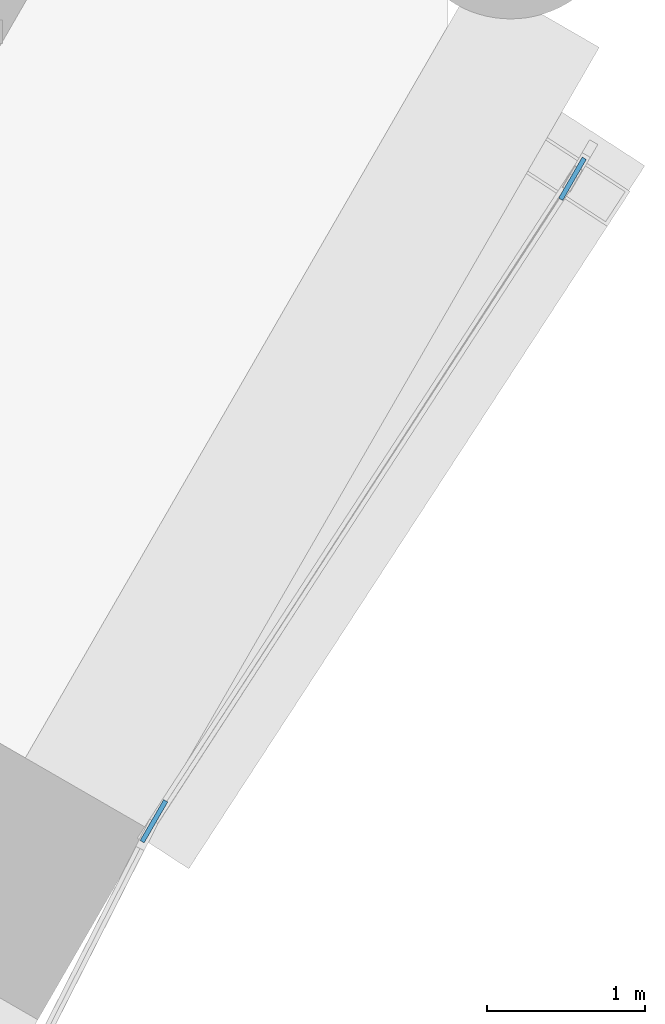
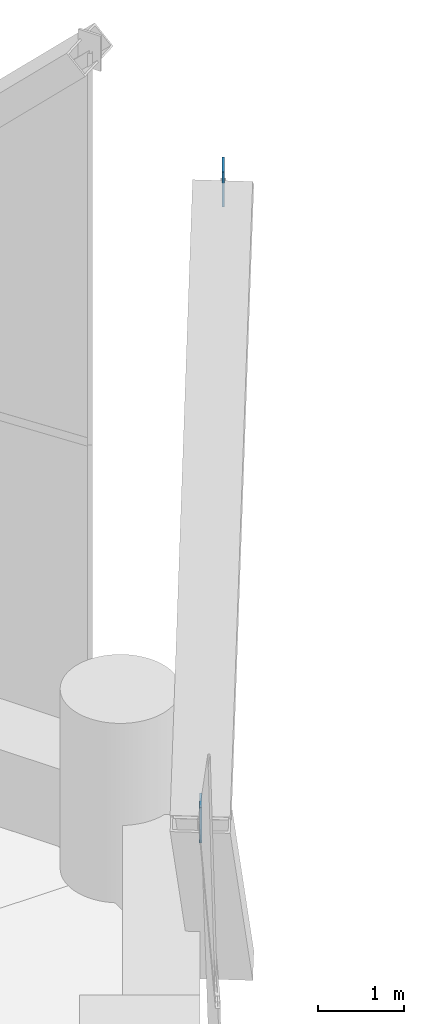
# One storey, part 32 of 35: 2 discrete accessories.
"""IFC4 building model written with IfcOpenShell, lengths in metres."""

from ifc_helpers import new_model, si_unit, direction, frame, origin, origin_2d, place, context, subcontext, project, spatial, rectangle, extrude, material, layer, layer_set, type_object, element, save


model = new_model("IFC4")

# Units and contexts
model_context = context("Model", 3, precision=1e-05, world=origin(), true_north=direction((0.0, 1.0)))
body_context = subcontext(model_context, "Body", "Model", "MODEL_VIEW")
ifc_project = project(units=[si_unit("LENGTHUNIT", "METRE"), si_unit("AREAUNIT", "SQUARE_METRE"), si_unit("VOLUMEUNIT", "CUBIC_METRE"), si_unit("PLANEANGLEUNIT", "RADIAN"), si_unit("MASSUNIT", "GRAM", prefix="KILO")], contexts=[model_context])

# Site, building, storey
site_placement = place(None, origin())
site = spatial("IfcSite", under=ifc_project, at=site_placement, CompositionType="ELEMENT")
building_placement = place(site_placement, origin())
building = spatial("IfcBuilding", under=site, at=building_placement, Name="Ostrander Bayou Hotel Tower", CompositionType="ELEMENT")
storey_placement = place(building_placement, frame((0.0, 0.0, 69.25)))
storey = spatial("IfcBuildingStorey", under=building, at=storey_placement, Name="L17", CompositionType="ELEMENT", Elevation=69.25)

# Discrete accessories
ifc_material = material(Name="Steel ASTM A572 Gr 50", Category="steel")
ifc_layer = layer(ifc_material, 0.030029296875)
ifc_layer_set = layer_set([ifc_layer], Name="GP1 gusset plate 30 mm")
discrete_accessory_type = type_object("IfcDiscreteAccessoryType", Name="GP1 gusset plate 30 mm", PredefinedType="BRACKET", material=ifc_layer_set)
for number, where, z_axis, x_axis, name in (
    (1, (21.364013671875, -6.6123046875, 4.77490234375), (0.0, 0.0, 1.0), (0.5, 0.866025403784, 0.0), "GP1 gusset plate lat 128"),
    (2, (24.021484375, -2.533447265625, 10.39990234375), (0.0, 0.0, 1.0), (0.5, 0.866025403784, 0.0), "GP1 gusset plate lat 129"),
):
    element("IfcDiscreteAccessory", number, at=place(storey_placement, frame(where, z_axis=z_axis, x_axis=x_axis)), inside=storey, type_object=discrete_accessory_type, Name=name, PredefinedType="BRACKET", context=body_context, shape_type="SweptSolid", body=[
        extrude(rectangle(XDim=0.300048828125, YDim=0.030029296875, at=origin_2d()), origin(), (0.0, 0.0, 1.0), 0.5),
    ])

save(model, "model.ifc")
